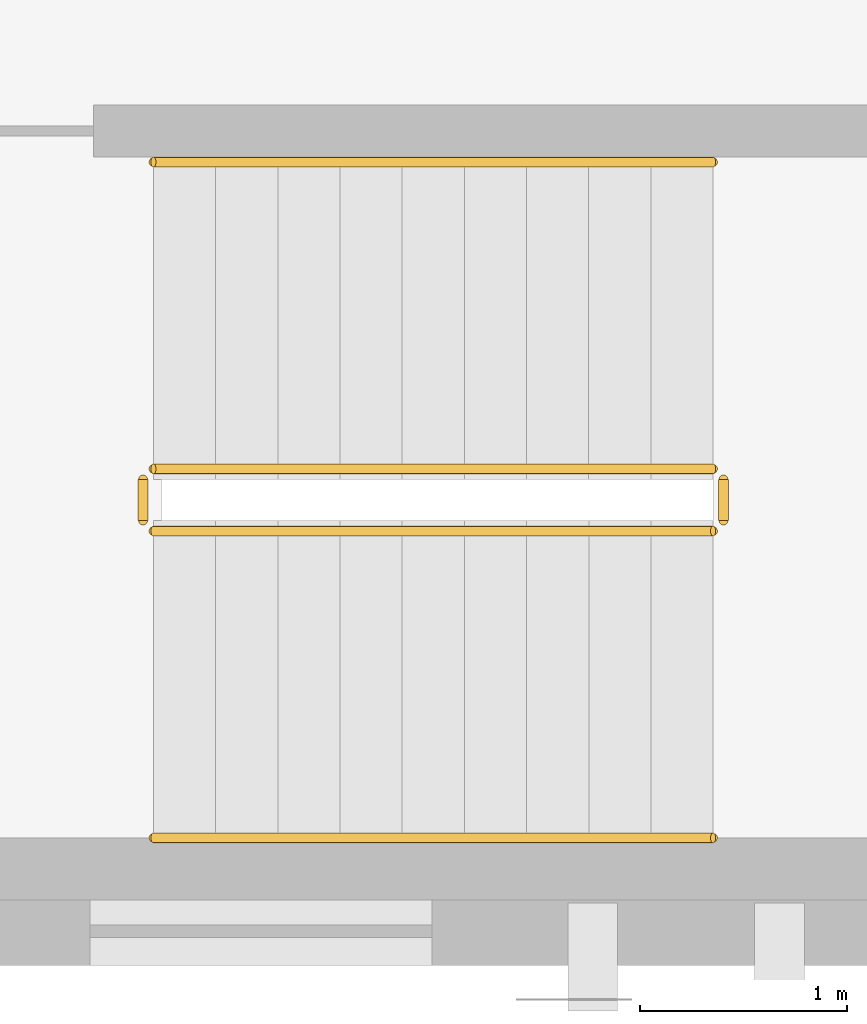
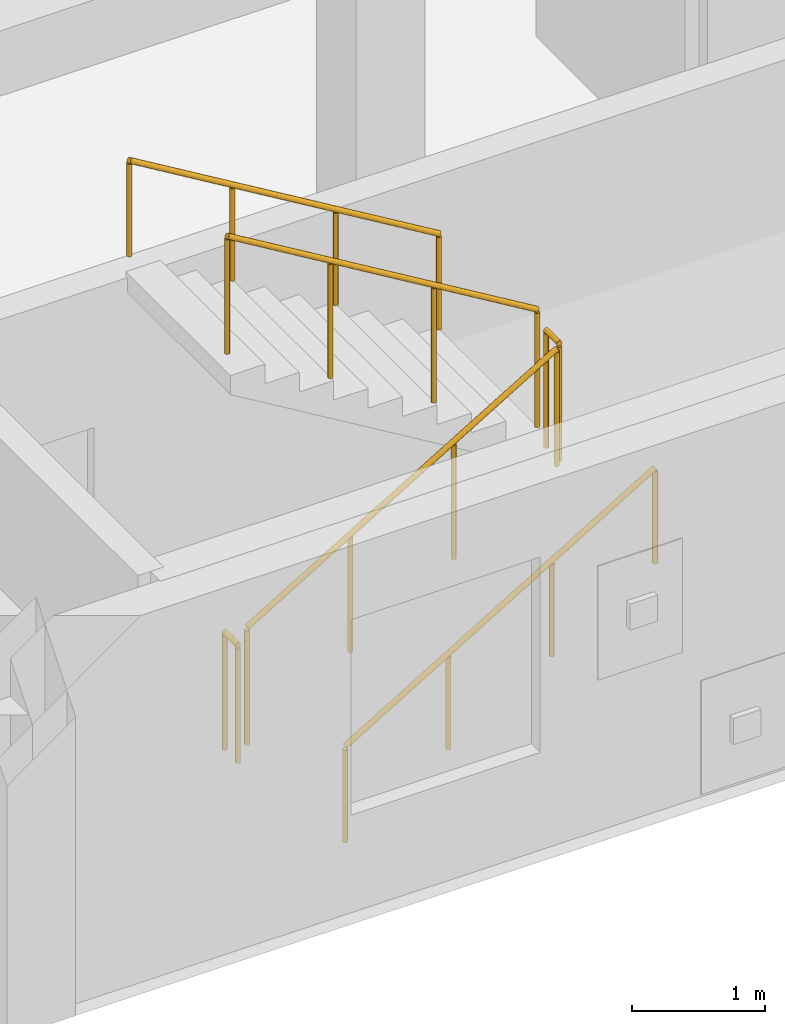
# One storey, part 41 of 41: 6 railings.
"""IFC4 building model written with IfcOpenShell, lengths in metres."""

from ifc_helpers import new_model, si_unit, direction, frame, origin, origin_2d, place, context, subcontext, project, spatial, circle, extrude, material, layer, layer_set, type_object, element, save


model = new_model("IFC4")

# Units and contexts
model_context = context("Model", 3, precision=1e-05, world=origin(), true_north=direction((0.0, 1.0)))
body_context = subcontext(model_context, "Body", "Model", "MODEL_VIEW")
ifc_project = project(units=[si_unit("LENGTHUNIT", "METRE"), si_unit("AREAUNIT", "SQUARE_METRE"), si_unit("VOLUMEUNIT", "CUBIC_METRE"), si_unit("PLANEANGLEUNIT", "RADIAN"), si_unit("MASSUNIT", "GRAM", prefix="KILO")], contexts=[model_context])

# Site, building, storey
site_placement = place(None, origin())
site = spatial("IfcSite", under=ifc_project, at=site_placement, CompositionType="ELEMENT")
building_placement = place(site_placement, origin())
building = spatial("IfcBuilding", under=site, at=building_placement, Name="Carrowvane Square Congress Hotel", CompositionType="ELEMENT")
storey_placement = place(building_placement, frame((0.0, 0.0, 37.199951171875)))
storey = spatial("IfcBuildingStorey", under=building, at=storey_placement, Name="L09", CompositionType="ELEMENT", Elevation=37.199951171875)

# Railings
ifc_material_1 = material(Name="Stainless steel 316", Category="steel")
ifc_layer_1 = layer(ifc_material_1, 0.048095703125)
ifc_layer_set_1 = layer_set([ifc_layer_1], Name="Stainless steel 316")
railing_type_1 = type_object("IfcRailingType", Name="RLG-HR-900", PredefinedType="HANDRAIL", material=ifc_layer_set_1)
railing_1_placement = place(storey_placement, frame((101.080078125, 92.25, 0.179931640625)))
element("IfcRailing", 1, at=railing_1_placement, inside=storey, type_object=railing_type_1, Name="L09 ST3 stair handrail 1", PredefinedType="HANDRAIL", context=body_context, shape_type="SweptSolid", body=[
    extrude(circle(Radius=0.02392578125, at=origin_2d()), frame((0.0, 0.0, 0.8759765625), z_axis=(0.857472400752, 0.0, 0.514529962148), x_axis=(0.0, 1.0, 0.0)), (0.0, 0.0, 1.0), 3.148681640625),
    extrude(circle(Radius=0.02099609375, at=origin_2d()), origin(), (0.0, 0.0, 1.0), 0.851806640625),
    extrude(circle(Radius=0.02099609375, at=origin_2d()), frame((0.89990234375, 0.0, 0.5400390625)), (0.0, 0.0, 1.0), 0.851806640625),
    extrude(circle(Radius=0.02099609375, at=origin_2d()), frame((1.800048828125, 0.0, 1.080078125)), (0.0, 0.0, 1.0), 0.851806640625),
    extrude(circle(Radius=0.02099609375, at=origin_2d()), frame((2.699951171875, 0.0, 1.6201171875)), (0.0, 0.0, 1.0), 0.851806640625),
])
railing_2_placement = place(storey_placement, frame((103.780029296875, 95.510009765625, 1.97998046875)))
element("IfcRailing", 2, at=railing_2_placement, inside=storey, type_object=railing_type_1, Name="L09 ST3 stair handrail 2", PredefinedType="HANDRAIL", context=body_context, shape_type="SweptSolid", body=[
    extrude(circle(Radius=0.02392578125, at=origin_2d()), frame((0.0, 0.0, 0.8759765625), z_axis=(-0.857472400752, 0.0, 0.514529962148), x_axis=(0.0, -1.0, 0.0)), (0.0, 0.0, 1.0), 3.148681640625),
    extrude(circle(Radius=0.02099609375, at=origin_2d()), origin(), (0.0, 0.0, 1.0), 0.851806640625),
    extrude(circle(Radius=0.02099609375, at=origin_2d()), frame((-0.89990234375, 0.0, 0.5400390625)), (0.0, 0.0, 1.0), 0.851806640625),
    extrude(circle(Radius=0.02099609375, at=origin_2d()), frame((-1.800048828125, 0.0, 1.080078125)), (0.0, 0.0, 1.0), 0.851806640625),
    extrude(circle(Radius=0.02099609375, at=origin_2d()), frame((-2.699951171875, 0.0, 1.6201171875)), (0.0, 0.0, 1.0), 0.851806640625),
])
ifc_material_2 = material(Name="Galvanised steel", Category="steel")
ifc_layer_2 = layer(ifc_material_2, 0.048095703125)
ifc_layer_set_2 = layer_set([ifc_layer_2], Name="Galvanised steel")
railing_type_2 = type_object("IfcRailingType", Name="RLG-STG-1100", PredefinedType="GUARDRAIL", material=ifc_layer_set_2)
railing_3_placement = place(storey_placement, frame((101.080078125, 93.72998046875, 0.179931640625)))
element("IfcRailing", 3, at=railing_3_placement, inside=storey, type_object=railing_type_2, Name="L09 ST3 stair guard 1", PredefinedType="GUARDRAIL", context=body_context, shape_type="SweptSolid", body=[
    extrude(circle(Radius=0.02392578125, at=origin_2d()), frame((0.0, 0.0, 1.076171875), z_axis=(0.857472400752, 0.0, 0.514529962148), x_axis=(0.0, 1.0, 0.0)), (0.0, 0.0, 1.0), 3.148681640625),
    extrude(circle(Radius=0.02099609375, at=origin_2d()), origin(), (0.0, 0.0, 1.0), 1.052001953125),
    extrude(circle(Radius=0.02099609375, at=origin_2d()), frame((0.89990234375, 0.0, 0.5400390625)), (0.0, 0.0, 1.0), 1.052001953125),
    extrude(circle(Radius=0.02099609375, at=origin_2d()), frame((1.800048828125, 0.0, 1.080078125)), (0.0, 0.0, 1.0), 1.052001953125),
    extrude(circle(Radius=0.02099609375, at=origin_2d()), frame((2.699951171875, 0.0, 1.6201171875)), (0.0, 0.0, 1.0), 1.052001953125),
])
railing_4_placement = place(storey_placement, frame((103.830078125, 93.780029296875, 1.800048828125)))
element("IfcRailing", 4, at=railing_4_placement, inside=storey, type_object=railing_type_2, Name="L09 ST3 stair guard 2", PredefinedType="GUARDRAIL", context=body_context, shape_type="SweptSolid", body=[
    extrude(circle(Radius=0.02392578125, at=origin_2d()), frame((0.0, 0.0, 1.076171875), z_axis=(0.0, 1.0, 0.0), x_axis=(-1.0, 0.0, 0.0)), (0.0, 0.0, 1.0), 0.199951171875),
    extrude(circle(Radius=0.02099609375, at=origin_2d()), origin(), (0.0, 0.0, 1.0), 1.052001953125),
    extrude(circle(Radius=0.02099609375, at=origin_2d()), frame((0.0, 0.199951171875, 0.0)), (0.0, 0.0, 1.0), 1.052001953125),
])
railing_5_placement = place(storey_placement, frame((103.780029296875, 94.030029296875, 1.97998046875)))
element("IfcRailing", 5, at=railing_5_placement, inside=storey, type_object=railing_type_2, Name="L09 ST3 stair guard 3", PredefinedType="GUARDRAIL", context=body_context, shape_type="SweptSolid", body=[
    extrude(circle(Radius=0.02392578125, at=origin_2d()), frame((0.0, 0.0, 1.076171875), z_axis=(-0.857472400752, 0.0, 0.514529962148), x_axis=(0.0, -1.0, 0.0)), (0.0, 0.0, 1.0), 3.148681640625),
    extrude(circle(Radius=0.02099609375, at=origin_2d()), origin(), (0.0, 0.0, 1.0), 1.052001953125),
    extrude(circle(Radius=0.02099609375, at=origin_2d()), frame((-0.89990234375, 0.0, 0.5400390625)), (0.0, 0.0, 1.0), 1.052001953125),
    extrude(circle(Radius=0.02099609375, at=origin_2d()), frame((-1.800048828125, 0.0, 1.080078125)), (0.0, 0.0, 1.0), 1.052001953125),
    extrude(circle(Radius=0.02099609375, at=origin_2d()), frame((-2.699951171875, 0.0, 1.6201171875)), (0.0, 0.0, 1.0), 1.052001953125),
])
railing_6_placement = place(storey_placement, frame((101.030029296875, 93.780029296875, 0.0)))
element("IfcRailing", 6, at=railing_6_placement, inside=storey, type_object=railing_type_2, Name="L09 ST3 stair guard 4", PredefinedType="GUARDRAIL", context=body_context, shape_type="SweptSolid", body=[
    extrude(circle(Radius=0.02392578125, at=origin_2d()), frame((0.0, 0.0, 1.076171875), z_axis=(0.0, 1.0, 0.0), x_axis=(-1.0, 0.0, 0.0)), (0.0, 0.0, 1.0), 0.199951171875),
    extrude(circle(Radius=0.02099609375, at=origin_2d()), origin(), (0.0, 0.0, 1.0), 1.052001953125),
    extrude(circle(Radius=0.02099609375, at=origin_2d()), frame((0.0, 0.199951171875, 0.0)), (0.0, 0.0, 1.0), 1.052001953125),
])

save(model, "model.ifc")
